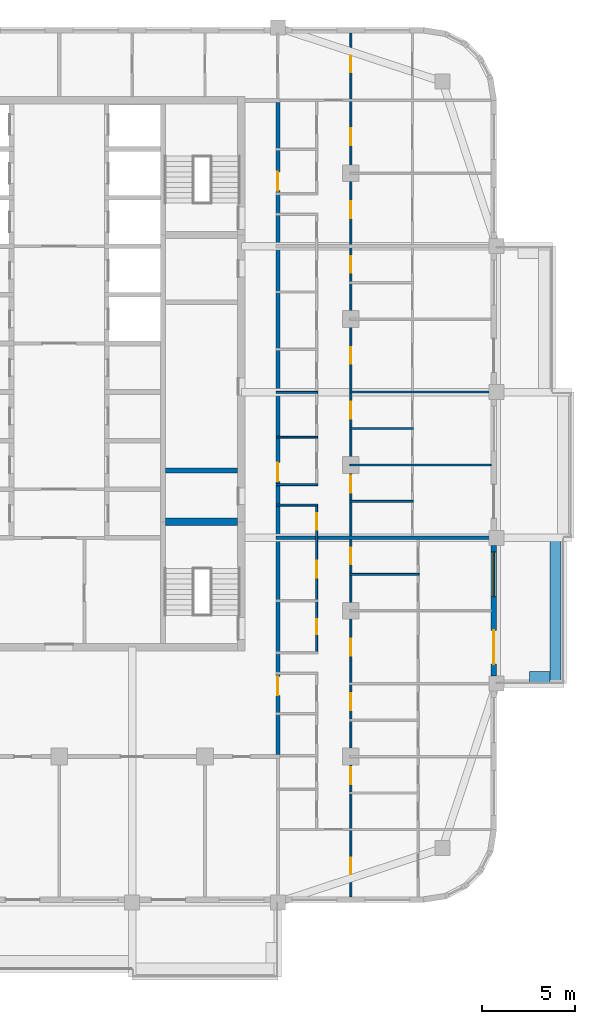
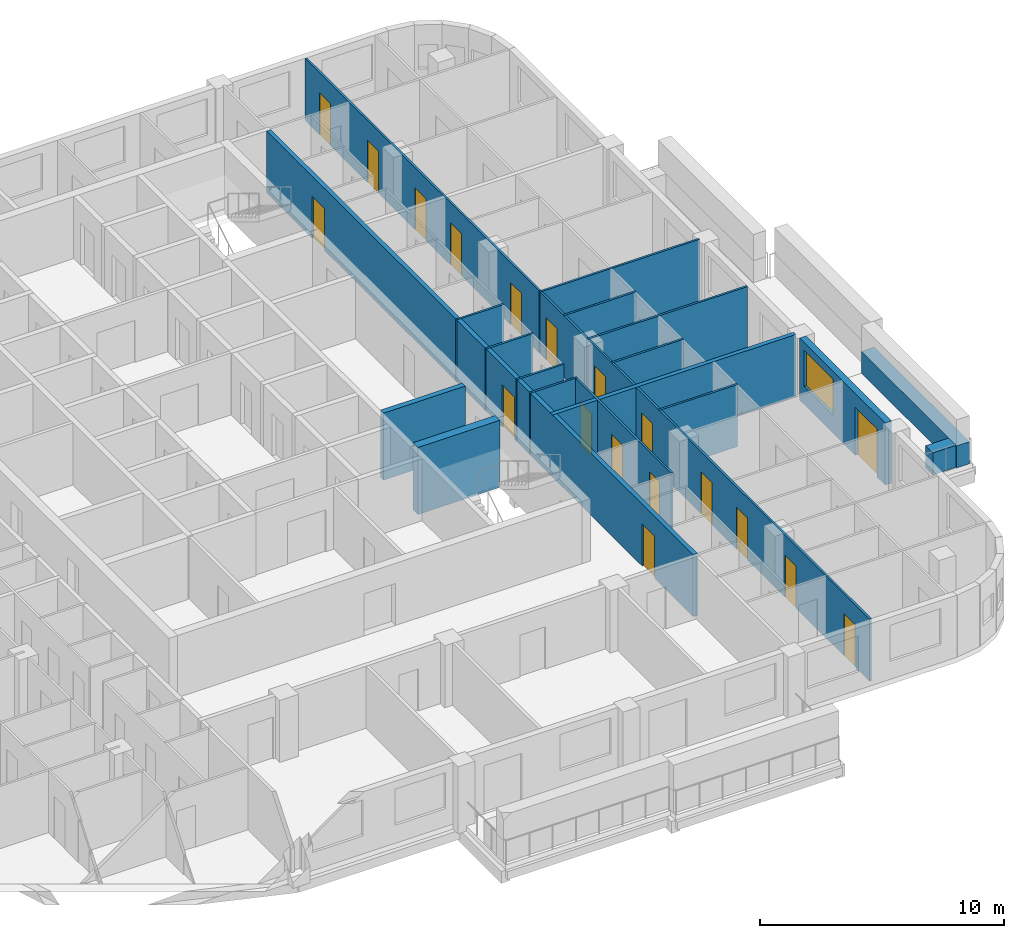
# One storey, part 7 of 16: 19 doors, 18 walls, 1 window, 20 openings.
"""IFC4 building model written with IfcOpenShell, lengths in metres."""

import ifcopenshell
import ifcopenshell.guid

model = None  # the IFC model being written
_history = None  # IfcOwnerHistory: only IFC2X3 demands one
_inside = {}  # id of a spatial element -> (the spatial element, [elements in it])
_under = {}  # id of a project, library or spatial element -> (it, [spatial elements below it])
_declared = {}  # id of a project -> (the project, [libraries it declares])
_typed = {}  # id of a type object -> (the type object, [elements of that type])
_made_of = {}  # id of a material, layer set ... -> (it, [elements and type objects made of it])


def new_model(schema):
    """Start an empty IFC model of exactly this schema.

    Asked for "IFC4X3", IfcOpenShell would pick the latest addendum, in which some entities
    have other attributes; the version numbers below select the first issue.
    IFC2X3 requires an IfcOwnerHistory on every rooted entity: one is made here for all.
    """
    global model, _history
    if schema == "IFC4X3":
        model = ifcopenshell.file(schema_version=(4, 3, 0, 0))
    else:
        model = ifcopenshell.file(schema=schema)
    _inside.clear()
    _under.clear()
    _declared.clear()
    _typed.clear()
    _made_of.clear()
    _history = None
    if model.schema == "IFC2X3":
        org = make("IfcOrganization", Name="unknown")
        user = make(
            "IfcPersonAndOrganization",
            ThePerson=make("IfcPerson", FamilyName="unknown"),
            TheOrganization=org,
        )
        app = make(
            "IfcApplication",
            ApplicationDeveloper=org,
            Version="unknown",
            ApplicationFullName="unknown",
            ApplicationIdentifier="unknown",
        )
        _history = make(
            "IfcOwnerHistory",
            OwningUser=user,
            OwningApplication=app,
            ChangeAction="ADDED",
            CreationDate=0,
        )
    return model


def make(cls, **values):
    """One entity of the class cls with the attributes given. An attribute that is None is left unset."""
    return model.create_entity(
        cls, **{name: value for name, value in values.items() if value is not None}
    )


def rooted(cls, **values):
    """An entity with a GlobalId (a new one), such as an element, a storey or a relation."""
    return make(cls, GlobalId=ifcopenshell.guid.new(), OwnerHistory=_history, **values)


def si_unit(unit_type, name, prefix=None):
    """IfcSIUnit, for example si_unit("LENGTHUNIT", "METRE", prefix="MILLI")."""
    return make("IfcSIUnit", UnitType=unit_type, Prefix=prefix, Name=name)


def assignment(units):
    """IfcUnitAssignment: the units of a project."""
    return None if units is None else make("IfcUnitAssignment", Units=units)


def point(xyz):
    """IfcCartesianPoint."""
    return None if xyz is None else make("IfcCartesianPoint", Coordinates=xyz)


def direction(xyz):
    """IfcDirection."""
    return None if xyz is None else make("IfcDirection", DirectionRatios=xyz)


def frame(location, z_axis=None, x_axis=None):
    """IfcAxis2Placement3D, a coordinate frame: its origin and axes. An axis left out is left unset."""
    return make(
        "IfcAxis2Placement3D",
        Location=point(location),
        Axis=direction(z_axis),
        RefDirection=direction(x_axis),
    )


def frame_2d(location, x_axis=None):
    """IfcAxis2Placement2D, a coordinate frame in the plane: its origin and x axis."""
    return make(
        "IfcAxis2Placement2D", Location=point(location), RefDirection=direction(x_axis)
    )


def origin():
    """The frame at (0, 0, 0) with its axes left unset."""
    return frame((0.0, 0.0, 0.0))


def place(relative_to, where):
    """IfcLocalPlacement: puts the frame where relative to a parent placement (None: the world)."""
    return make(
        "IfcLocalPlacement", PlacementRelTo=relative_to, RelativePlacement=where
    )


def context(
    kind, dimensions, precision=None, world=None, true_north=None, identifier=None
):
    """IfcGeometricRepresentationContext, for example the 3D "Model" context."""
    return make(
        "IfcGeometricRepresentationContext",
        ContextIdentifier=identifier,
        ContextType=kind,
        CoordinateSpaceDimension=dimensions,
        Precision=precision,
        WorldCoordinateSystem=world,
        TrueNorth=true_north,
    )


def subcontext(parent, identifier, kind, view, scale=None):
    """IfcGeometricRepresentationSubContext, for example "Body" below "Model"."""
    return make(
        "IfcGeometricRepresentationSubContext",
        ContextIdentifier=identifier,
        ContextType=kind,
        ParentContext=parent,
        TargetScale=scale,
        TargetView=view,
    )


def project(units=None, contexts=None):
    """IfcProject with its units and contexts."""
    return rooted(
        "IfcProject",
        Name="project",
        RepresentationContexts=contexts,
        UnitsInContext=assignment(units),
    )


def spatial(cls, under=None, at=None, **own):
    """A site, building, storey or space (cls), placed at a placement, below another one or the project."""
    s = rooted(cls, ObjectPlacement=at, **own)
    if under is not None:
        _under.setdefault(under.id(), (under, []))[1].append(s)
    return s


def profile(cls, at=None, kind="AREA", **sizes):
    """A parametric profile (cls). Its sizes go by their IFC names, for example OverallWidth=200.0."""
    return make(cls, ProfileType=kind, Position=at, **sizes)


def rectangle(**sizes):
    """IfcRectangleProfileDef."""
    return profile("IfcRectangleProfileDef", **sizes)


def extrude(swept, where, along, depth):
    """IfcExtrudedAreaSolid: the profile swept, set in the frame where, extruded along a direction by depth."""
    return make(
        "IfcExtrudedAreaSolid",
        SweptArea=swept,
        Position=where,
        ExtrudedDirection=direction(along),
        Depth=depth,
    )


def shape(context_of_items, identifier, shape_type, items):
    """IfcShapeRepresentation: the items that make up one representation, for example the "Body"."""
    return make(
        "IfcShapeRepresentation",
        ContextOfItems=context_of_items,
        RepresentationIdentifier=identifier,
        RepresentationType=shape_type,
        Items=items,
    )


def material(Name=None, Category=None):
    """IfcMaterial."""
    return make("IfcMaterial", Name=Name, Category=Category)


def layer(
    of_material, thickness, ventilated=None, Name=None, Category=None, Priority=None
):
    """IfcMaterialLayer: one layer of a wall or slab, of a material (None: an air gap)."""
    return make(
        "IfcMaterialLayer",
        Material=of_material,
        LayerThickness=thickness,
        IsVentilated=ventilated,
        Name=Name,
        Category=Category,
        Priority=Priority,
    )


def layer_set(layers, Name=None):
    """IfcMaterialLayerSet."""
    return make("IfcMaterialLayerSet", MaterialLayers=layers, LayerSetName=Name)


def made_of(thing, what):
    """Note that an element or type object is made of a material, layer set ...; save() writes the relation."""
    if what is not None:
        _made_of.setdefault(what.id(), (what, []))[1].append(thing)
    return thing


def type_object(cls, material=None, **own):
    """A type object (cls), such as IfcWallType, which elements share."""
    return made_of(rooted(cls, **own), material)


def element(
    cls,
    number,
    at=None,
    inside=None,
    cuts=None,
    type_object=None,
    material=None,
    context=None,
    identifier="Body",
    shape_type=None,
    held_by="IfcProductDefinitionShape",
    body=None,
    shapes=None,
    **own,
):
    """One element of the class cls, such as IfcWall. Its Tag is "e" and its number.

    at: its placement. inside: the storey or other place that contains it. cuts: it is an
    opening in that element (IfcRelVoidsElement). A single representation is given by context,
    identifier, shape_type and body (its items); several are given by shapes. held_by: the class
    of the entity that holds the representations. save() writes the other relations.
    """
    e = rooted(cls, Tag="e%d" % number, ObjectPlacement=at, **own)
    if body is not None:
        shapes = [shape(context, identifier, shape_type, body)]
    if shapes is not None:
        e.Representation = make(held_by, Representations=shapes)
    if inside is not None:
        _inside.setdefault(inside.id(), (inside, []))[1].append(e)
    if cuts is not None:
        rooted(
            "IfcRelVoidsElement", RelatingBuildingElement=cuts, RelatedOpeningElement=e
        )
    if type_object is not None:
        _typed.setdefault(type_object.id(), (type_object, []))[1].append(e)
    return made_of(e, material)


def fill(opening, filler):
    """IfcRelFillsElement: the door or window that sits in an opening."""
    return rooted(
        "IfcRelFillsElement",
        RelatingOpeningElement=opening,
        RelatedBuildingElement=filler,
    )


def aggregate(whole, parts):
    """IfcRelAggregates: a whole, such as a stair, and the parts it consists of."""
    return rooted("IfcRelAggregates", RelatingObject=whole, RelatedObjects=parts)


def save(model, path):
    """Write the relations noted so far, then the file.

    IfcRelAggregates (storeys below a building ...), IfcRelContainedInSpatialStructure (elements
    in a storey), IfcRelDefinesByType, IfcRelAssociatesMaterial and IfcRelDeclares: one each for
    every whole, place, type object, material and project.
    """
    for whole, parts in _under.values():
        aggregate(whole, parts)
    for where, things in _inside.values():
        rooted(
            "IfcRelContainedInSpatialStructure",
            RelatedElements=things,
            RelatingStructure=where,
        )
    for kind, things in _typed.values():
        rooted("IfcRelDefinesByType", RelatedObjects=things, RelatingType=kind)
    for what, things in _made_of.values():
        rooted("IfcRelAssociatesMaterial", RelatedObjects=things, RelatingMaterial=what)
    for by, libraries in _declared.values():
        rooted("IfcRelDeclares", RelatingContext=by, RelatedDefinitions=libraries)
    model.write(path)


model = new_model("IFC4")

# Units and contexts
model_context = context("Model", 3, precision=1e-05, world=origin(), true_north=direction((0.0, 1.0)))
body_context = subcontext(model_context, "Body", "Model", "MODEL_VIEW")
ifc_project = project(units=[si_unit("LENGTHUNIT", "METRE"), si_unit("AREAUNIT", "SQUARE_METRE"), si_unit("VOLUMEUNIT", "CUBIC_METRE"), si_unit("PLANEANGLEUNIT", "RADIAN"), si_unit("MASSUNIT", "GRAM", prefix="KILO")], contexts=[model_context])

# Site, building, storey
site_placement = place(None, origin())
site = spatial("IfcSite", under=ifc_project, at=site_placement, CompositionType="ELEMENT")
building_placement = place(site_placement, origin())
building = spatial("IfcBuilding", under=site, at=building_placement, Name="Ludao Terraces", CompositionType="ELEMENT")
storey_placement = place(building_placement, frame((0.0, 0.0, 238.10009765625)))
storey = spatial("IfcBuildingStorey", under=building, at=storey_placement, Name="L65", CompositionType="ELEMENT", Elevation=238.10009765625)

# Walls
ifc_material_1 = material(Name="Concrete C40", Category="concrete")
ifc_layer_1 = layer(ifc_material_1, 0.60009765625)
ifc_layer_set_1 = layer_set([ifc_layer_1], Name="ENV Planter trough 600")
wall_type_1 = type_object("IfcWallType", Name="ENV Planter trough 600", PredefinedType="USERDEFINED", material=ifc_layer_set_1)
wall_1_placement = place(storey_placement, frame((111.550048828125, 53.300048828125, 0.0), z_axis=(0.0, 0.0, 1.0), x_axis=(0.0, 1.0, 0.0)))
element("IfcWall", 1, at=wall_1_placement, inside=storey, type_object=wall_type_1, Name="PL-L65-E1", ObjectType="PLANTER", PredefinedType="USERDEFINED", context=body_context, shape_type="SweptSolid", body=[
    extrude(rectangle(XDim=7.800048828125, YDim=0.60009765625, at=frame_2d((3.89990234375, 0.0))), origin(), (0.0, 0.0, 1.0), 1.099853515625),
])
wall_2_placement = place(storey_placement, frame((111.25, 53.64990234375, 0.0), z_axis=(0.0, 0.0, 1.0), x_axis=(-1.0, 0.0, 0.0)))
element("IfcWall", 2, at=wall_2_placement, inside=storey, type_object=wall_type_1, Name="PL-L65-E1-SA", ObjectType="PLANTER", PredefinedType="USERDEFINED", context=body_context, shape_type="SweptSolid", body=[
    extrude(rectangle(XDim=1.10009765625, YDim=0.60009765625, at=frame_2d((0.550048828125, 0.0))), origin(), (0.0, 0.0, 1.0), 1.099853515625),
])

# Wall, openings, door, window
ifc_material_2 = material(Name="Granite cladding", Category="masonry")
ifc_layer_2 = layer(ifc_material_2, 0.0400390625, Category="stone")
ifc_material_3 = material(Name="Mineral wool")
ifc_layer_3 = layer(ifc_material_3, 0.06005859375)
ifc_layer_4 = layer(ifc_material_1, 0.199951171875, Category="concrete")
ifc_layer_set_2 = layer_set([ifc_layer_2, ifc_layer_3, ifc_layer_4], Name="ENV Stone-clad wall 300")
wall_type_2 = type_object("IfcWallType", Name="ENV Stone-clad wall 300", PredefinedType="SOLIDWALL", material=ifc_layer_set_2)
wall_3_placement = place(storey_placement, frame((108.25, 53.699951171875, 0.0), z_axis=(0.0, 0.0, 1.0), x_axis=(0.0, 1.0, 0.0)))
wall_3 = element("IfcWall", 3, at=wall_3_placement, inside=storey, type_object=wall_type_2, Name="EW-L65-E2", PredefinedType="SOLIDWALL", context=body_context, shape_type="SweptSolid", body=[
    extrude(rectangle(XDim=7.0, YDim=0.300048828125, at=frame_2d((3.5, 0.0))), origin(), (0.0, 0.0, 1.0), 3.099853515625),
])
opening_1_placement = place(wall_3_placement, frame((0.64990234375, 0.0, 0.0)))
opening_1 = element("IfcOpeningElement", 4, at=opening_1_placement, cuts=wall_3, Name="Opening BD", PredefinedType="OPENING", context=body_context, shape_type="SweptSolid", body=[
    extrude(rectangle(XDim=1.800048828125, YDim=2.39990234375, at=frame_2d((0.89990234375, 1.199951171875))), frame((0.0, 0.16015625, 0.0), z_axis=(0.0, -1.0, 0.0), x_axis=(1.0, 0.0, 0.0)), (0.0, 0.0, 1.0), 0.320068359375),
])
opening_2_placement = place(wall_3_placement, frame((4.25, 0.0, 0.89990234375)))
opening_2 = element("IfcOpeningElement", 5, at=opening_2_placement, cuts=wall_3, Name="Opening W1", PredefinedType="OPENING", context=body_context, shape_type="SweptSolid", body=[
    extrude(rectangle(XDim=2.39990234375, YDim=1.800048828125, at=frame_2d((1.199951171875, 0.89990234375))), frame((0.0, 0.16015625, 0.0), z_axis=(0.0, -1.0, 0.0), x_axis=(1.0, 0.0, 0.0)), (0.0, 0.0, 1.0), 0.320068359375),
])
ifc_material_4 = material(Name="Aluminium glazed door", Category="aluminium")
ifc_layer_5 = layer(ifc_material_4, 0.06005859375)
ifc_layer_set_3 = layer_set([ifc_layer_5], Name="ENV Balcony door BD 1800x2400")
door_type_1 = type_object("IfcDoorType", Name="ENV Balcony door BD 1800x2400", OperationType="DOUBLE_DOOR_SINGLE_SWING", PredefinedType="DOOR", material=ifc_layer_set_3)
door_1_placement = place(opening_1_placement, origin())
door_1 = element("IfcDoor", 6, at=door_1_placement, inside=storey, type_object=door_type_1, Name="BD-L65-E2-1", OperationType="DOUBLE_DOOR_SINGLE_SWING", OverallHeight=2.39990234375, OverallWidth=1.800048828125, PredefinedType="DOOR", context=body_context, shape_type="SweptSolid", body=[
    extrude(rectangle(XDim=1.800048828125, YDim=2.39990234375, at=frame_2d((0.89990234375, 1.199951171875))), frame((0.0, 0.02490234375, 0.0), z_axis=(0.0, -1.0, 0.0), x_axis=(1.0, 0.0, 0.0)), (0.0, 0.0, 1.0), 0.050048828125),
])
fill(opening_1, door_1)
ifc_material_5 = material(Name="Clear glass in aluminium frame", Category="aluminium")
ifc_layer_6 = layer(ifc_material_5, 0.06005859375)
ifc_layer_set_4 = layer_set([ifc_layer_6], Name="ENV Window W1 2400x1800")
window_type = type_object("IfcWindowType", Name="ENV Window W1 2400x1800", PartitioningType="DOUBLE_PANEL_VERTICAL", PredefinedType="WINDOW", material=ifc_layer_set_4)
window_placement = place(opening_2_placement, origin())
window = element("IfcWindow", 7, at=window_placement, inside=storey, type_object=window_type, Name="W-L65-E2-2", OverallHeight=1.800048828125, OverallWidth=2.39990234375, PartitioningType="DOUBLE_PANEL_VERTICAL", PredefinedType="WINDOW", context=body_context, shape_type="SweptSolid", body=[
    extrude(rectangle(XDim=2.39990234375, YDim=1.800048828125, at=frame_2d((1.199951171875, 0.89990234375))), frame((0.0, 0.030029296875, 0.0), z_axis=(0.0, -1.0, 0.0), x_axis=(1.0, 0.0, 0.0)), (0.0, 0.0, 1.0), 0.06005859375),
])
fill(opening_2, window)

# Wall, openings, doors
ifc_material_6 = material(Name="Autoclaved aerated concrete block B06 A3.5", Category="concrete")
ifc_layer_7 = layer(ifc_material_6, 0.199951171875)
ifc_layer_set_5 = layer_set([ifc_layer_7], Name="INT Entrance wall 200")
wall_type_3 = type_object("IfcWallType", Name="INT Entrance wall 200", PredefinedType="PARTITIONING", material=ifc_layer_set_5)
wall_4_placement = place(storey_placement, frame((96.699951171875, 49.5, 0.0), z_axis=(0.0, 0.0, 1.0), x_axis=(0.0, 1.0, 0.0)))
wall_4 = element("IfcWall", 8, at=wall_4_placement, inside=storey, type_object=wall_type_3, Name="PW-L65-PW093", PredefinedType="PARTITIONING", context=body_context, shape_type="SweptSolid", body=[
    extrude(rectangle(XDim=34.900146484375, YDim=0.199951171875, at=frame_2d((17.4501953125, 0.0))), origin(), (0.0, 0.0, 1.0), 3.099853515625),
])
opening_3_placement = place(wall_4_placement, frame((3.175048828125, 0.0, 0.0)))
opening_3 = element("IfcOpeningElement", 9, at=opening_3_placement, cuts=wall_4, Name="Opening R23-031", PredefinedType="OPENING", context=body_context, shape_type="SweptSolid", body=[
    extrude(rectangle(XDim=1.0, YDim=2.10009765625, at=frame_2d((0.5, 1.050048828125))), frame((0.0, 0.10986328125, 0.0), z_axis=(0.0, -1.0, 0.0), x_axis=(1.0, 0.0, 0.0)), (0.0, 0.0, 1.0), 0.219970703125),
])
opening_4_placement = place(wall_4_placement, frame((14.625, 0.0, 0.0)))
opening_4 = element("IfcOpeningElement", 10, at=opening_4_placement, cuts=wall_4, Name="Opening R23-066", PredefinedType="OPENING", context=body_context, shape_type="SweptSolid", body=[
    extrude(rectangle(XDim=1.0, YDim=2.10009765625, at=frame_2d((0.5, 1.050048828125))), frame((0.0, 0.10986328125, 0.0), z_axis=(0.0, -1.0, 0.0), x_axis=(1.0, 0.0, 0.0)), (0.0, 0.0, 1.0), 0.219970703125),
])
opening_5_placement = place(wall_4_placement, frame((30.175048828125, 0.0, 0.0)))
opening_5 = element("IfcOpeningElement", 11, at=opening_5_placement, cuts=wall_4, Name="Opening R23-119", PredefinedType="OPENING", context=body_context, shape_type="SweptSolid", body=[
    extrude(rectangle(XDim=1.0, YDim=2.10009765625, at=frame_2d((0.5, 1.050048828125))), frame((0.0, 0.10986328125, 0.0), z_axis=(0.0, -1.0, 0.0), x_axis=(1.0, 0.0, 0.0)), (0.0, 0.0, 1.0), 0.219970703125),
])
ifc_material_7 = material(Name="Steel Q235", Category="steel")
door_type_2 = type_object("IfcDoorType", Name="INT Flat entrance door 1000", OperationType="SINGLE_SWING_LEFT", PredefinedType="DOOR", material=ifc_material_7)
door_2_placement = place(opening_3_placement, origin())
door_2 = element("IfcDoor", 12, at=door_2_placement, inside=storey, type_object=door_type_2, Name="DOOR 031", OperationType="SINGLE_SWING_RIGHT", OverallHeight=2.10009765625, OverallWidth=1.0, PredefinedType="DOOR", context=body_context, shape_type="SweptSolid", body=[
    extrude(rectangle(XDim=1.0, YDim=2.10009765625, at=frame_2d((0.5, 1.050048828125))), frame((0.0, 0.02490234375, 0.0), z_axis=(0.0, -1.0, 0.0), x_axis=(1.0, 0.0, 0.0)), (0.0, 0.0, 1.0), 0.050048828125),
])
fill(opening_3, door_2)
door_3_placement = place(opening_4_placement, origin())
door_3 = element("IfcDoor", 13, at=door_3_placement, inside=storey, type_object=door_type_2, Name="DOOR 066", OperationType="SINGLE_SWING_LEFT", OverallHeight=2.10009765625, OverallWidth=1.0, PredefinedType="DOOR", context=body_context, shape_type="SweptSolid", body=[
    extrude(rectangle(XDim=1.0, YDim=2.10009765625, at=frame_2d((0.5, 1.050048828125))), frame((0.0, 0.02490234375, 0.0), z_axis=(0.0, -1.0, 0.0), x_axis=(1.0, 0.0, 0.0)), (0.0, 0.0, 1.0), 0.050048828125),
])
fill(opening_4, door_3)
door_4_placement = place(opening_5_placement, origin())
door_4 = element("IfcDoor", 14, at=door_4_placement, inside=storey, type_object=door_type_2, Name="DOOR 119", OperationType="SINGLE_SWING_LEFT", OverallHeight=2.10009765625, OverallWidth=1.0, PredefinedType="DOOR", context=body_context, shape_type="SweptSolid", body=[
    extrude(rectangle(XDim=1.0, YDim=2.10009765625, at=frame_2d((0.5, 1.050048828125))), frame((0.0, 0.02490234375, 0.0), z_axis=(0.0, -1.0, 0.0), x_axis=(1.0, 0.0, 0.0)), (0.0, 0.0, 1.0), 0.050048828125),
])
fill(opening_5, door_4)

# Walls
ifc_material_8 = material(Name="Gypsum plasterboard", Category="gypsum")
ifc_layer_8 = layer(ifc_material_8, 0.012451171875, Category="gypsum")
ifc_layer_9 = layer(ifc_material_3, 0.06005859375, Name="insulation")
ifc_layer_10 = layer(ifc_material_7, 0.014892578125, Name="stud")
ifc_layer_11 = layer(ifc_material_8, 0.012451171875, Category="gypsum")
ifc_layer_set_6 = layer_set([ifc_layer_8, ifc_layer_9, ifc_layer_10, ifc_layer_11], Name="INT Partition 100")
wall_type_4 = type_object("IfcWallType", Name="INT Partition 100", PredefinedType="PARTITIONING", material=ifc_layer_set_6)
wall_5_placement = place(storey_placement, frame((100.550048828125, 59.14990234375, 0.0), z_axis=(0.0, 0.0, 1.0), x_axis=(1.0, 0.0, 0.0)))
element("IfcWall", 15, at=wall_5_placement, inside=storey, type_object=wall_type_4, Name="PW-L65-PW026", PredefinedType="PARTITIONING", context=body_context, shape_type="SweptSolid", body=[
    extrude(rectangle(XDim=3.699951171875, YDim=0.10009765625, at=frame_2d((1.85009765625, 0.0))), origin(), (0.0, 0.0, 1.0), 3.099853515625),
])
wall_6_placement = place(storey_placement, frame((96.60009765625, 62.85009765625, 0.0), z_axis=(0.0, 0.0, 1.0), x_axis=(1.0, 0.0, 0.0)))
element("IfcWall", 16, at=wall_6_placement, inside=storey, type_object=wall_type_4, Name="PW-L65-PW031", PredefinedType="PARTITIONING", context=body_context, shape_type="SweptSolid", body=[
    extrude(rectangle(XDim=2.219970703125, YDim=0.10009765625, at=frame_2d((1.10986328125, 0.0))), origin(), (0.0, 0.0, 1.0), 3.099853515625),
])
wall_7_placement = place(storey_placement, frame((100.550048828125, 63.050048828125, 0.0), z_axis=(0.0, 0.0, 1.0), x_axis=(1.0, 0.0, 0.0)))
element("IfcWall", 17, at=wall_7_placement, inside=storey, type_object=wall_type_4, Name="PW-L65-PW033", PredefinedType="PARTITIONING", context=body_context, shape_type="SweptSolid", body=[
    extrude(rectangle(XDim=3.400146484375, YDim=0.10009765625, at=frame_2d((1.7001953125, 0.0))), origin(), (0.0, 0.0, 1.0), 3.099853515625),
])
wall_8_placement = place(storey_placement, frame((96.60009765625, 63.949951171875, 0.0), z_axis=(0.0, 0.0, 1.0), x_axis=(1.0, 0.0, 0.0)))
element("IfcWall", 18, at=wall_8_placement, inside=storey, type_object=wall_type_4, Name="PW-L65-PW036", PredefinedType="PARTITIONING", context=body_context, shape_type="SweptSolid", body=[
    extrude(rectangle(XDim=2.219970703125, YDim=0.10009765625, at=frame_2d((1.10986328125, 0.0))), origin(), (0.0, 0.0, 1.0), 3.099853515625),
])
wall_9_placement = place(storey_placement, frame((100.550048828125, 65.0, 0.0), z_axis=(0.0, 0.0, 1.0), x_axis=(1.0, 0.0, 0.0)))
element("IfcWall", 19, at=wall_9_placement, inside=storey, type_object=wall_type_4, Name="PW-L65-PW038", PredefinedType="PARTITIONING", context=body_context, shape_type="SweptSolid", body=[
    extrude(rectangle(XDim=7.550048828125, YDim=0.10009765625, at=frame_2d((3.77490234375, 0.0))), origin(), (0.0, 0.0, 1.0), 3.099853515625),
])
wall_10_placement = place(storey_placement, frame((96.60009765625, 66.47998046875, 0.0), z_axis=(0.0, 0.0, 1.0), x_axis=(1.0, 0.0, 0.0)))
element("IfcWall", 20, at=wall_10_placement, inside=storey, type_object=wall_type_4, Name="PW-L65-PW040", PredefinedType="PARTITIONING", context=body_context, shape_type="SweptSolid", body=[
    extrude(rectangle(XDim=2.219970703125, YDim=0.10009765625, at=frame_2d((1.10986328125, 0.0))), origin(), (0.0, 0.0, 1.0), 3.099853515625),
])
wall_11_placement = place(storey_placement, frame((100.550048828125, 66.949951171875, 0.0), z_axis=(0.0, 0.0, 1.0), x_axis=(1.0, 0.0, 0.0)))
element("IfcWall", 21, at=wall_11_placement, inside=storey, type_object=wall_type_4, Name="PW-L65-PW042", PredefinedType="PARTITIONING", context=body_context, shape_type="SweptSolid", body=[
    extrude(rectangle(XDim=3.400146484375, YDim=0.10009765625, at=frame_2d((1.7001953125, 0.0))), origin(), (0.0, 0.0, 1.0), 3.099853515625),
])
wall_12_placement = place(storey_placement, frame((96.60009765625, 68.8798828125, 0.0), z_axis=(0.0, 0.0, 1.0), x_axis=(1.0, 0.0, 0.0)))
element("IfcWall", 22, at=wall_12_placement, inside=storey, type_object=wall_type_4, Name="PW-L65-PW044", PredefinedType="PARTITIONING", context=body_context, shape_type="SweptSolid", body=[
    extrude(rectangle(XDim=2.219970703125, YDim=0.10009765625, at=frame_2d((1.10986328125, 0.0))), origin(), (0.0, 0.0, 1.0), 3.099853515625),
])
wall_13_placement = place(storey_placement, frame((100.550048828125, 68.89990234375, 0.0), z_axis=(0.0, 0.0, 1.0), x_axis=(1.0, 0.0, 0.0)))
element("IfcWall", 23, at=wall_13_placement, inside=storey, type_object=wall_type_4, Name="PW-L65-PW046", PredefinedType="PARTITIONING", context=body_context, shape_type="SweptSolid", body=[
    extrude(rectangle(XDim=7.550048828125, YDim=0.10009765625, at=frame_2d((3.77490234375, 0.0))), origin(), (0.0, 0.0, 1.0), 3.099853515625),
])

# Wall, openings, doors
wall_14_placement = place(storey_placement, frame((98.77001953125, 55.0, 0.0), z_axis=(0.0, 0.0, 1.0), x_axis=(0.0, 1.0, 0.0)))
wall_14 = element("IfcWall", 24, at=wall_14_placement, inside=storey, type_object=wall_type_4, Name="PW-L65-PW096", PredefinedType="PARTITIONING", context=body_context, shape_type="SweptSolid", body=[
    extrude(rectangle(XDim=7.800048828125, YDim=0.10009765625, at=frame_2d((3.89990234375, 0.0))), origin(), (0.0, 0.0, 1.0), 3.099853515625),
])
opening_6_placement = place(wall_14_placement, frame((0.940185546875, 0.0, 0.0)))
opening_6 = element("IfcOpeningElement", 25, at=opening_6_placement, cuts=wall_14, Name="Opening R23-039", PredefinedType="OPENING", context=body_context, shape_type="SweptSolid", body=[
    extrude(rectangle(XDim=0.800048828125, YDim=2.10009765625, at=frame_2d((0.39990234375, 1.050048828125))), frame((0.0, 0.06005859375, 0.0), z_axis=(0.0, -1.0, 0.0), x_axis=(1.0, 0.0, 0.0)), (0.0, 0.0, 1.0), 0.1201171875),
])
opening_7_placement = place(wall_14_placement, frame((3.965087890625, 0.0, 0.0)))
opening_7 = element("IfcOpeningElement", 26, at=opening_7_placement, cuts=wall_14, Name="Opening R23-045", PredefinedType="OPENING", context=body_context, shape_type="SweptSolid", body=[
    extrude(rectangle(XDim=0.89990234375, YDim=2.10009765625, at=frame_2d((0.449951171875, 1.050048828125))), frame((0.0, 0.06005859375, 0.0), z_axis=(0.0, -1.0, 0.0), x_axis=(1.0, 0.0, 0.0)), (0.0, 0.0, 1.0), 0.1201171875),
])
opening_8_placement = place(wall_14_placement, frame((6.525146484375, 0.0, 0.0)))
opening_8 = element("IfcOpeningElement", 27, at=opening_8_placement, cuts=wall_14, Name="Opening R23-053", PredefinedType="OPENING", context=body_context, shape_type="SweptSolid", body=[
    extrude(rectangle(XDim=0.89990234375, YDim=2.10009765625, at=frame_2d((0.449951171875, 1.050048828125))), frame((0.0, 0.06005859375, 0.0), z_axis=(0.0, -1.0, 0.0), x_axis=(1.0, 0.0, 0.0)), (0.0, 0.0, 1.0), 0.1201171875),
])
ifc_material_9 = material(Name="Timber door leaf", Category="wood")
door_type_3 = type_object("IfcDoorType", Name="INT Bathroom door 900", OperationType="SINGLE_SWING_LEFT", PredefinedType="DOOR", material=ifc_material_9)
door_5_placement = place(opening_8_placement, origin())
door_5 = element("IfcDoor", 28, at=door_5_placement, inside=storey, type_object=door_type_3, Name="DOOR 053", OperationType="SINGLE_SWING_LEFT", OverallHeight=2.10009765625, OverallWidth=0.89990234375, PredefinedType="DOOR", context=body_context, shape_type="SweptSolid", body=[
    extrude(rectangle(XDim=0.89990234375, YDim=2.10009765625, at=frame_2d((0.449951171875, 1.050048828125))), frame((0.0, 0.02490234375, 0.0), z_axis=(0.0, -1.0, 0.0), x_axis=(1.0, 0.0, 0.0)), (0.0, 0.0, 1.0), 0.050048828125),
])
fill(opening_8, door_5)
door_type_4 = type_object("IfcDoorType", Name="INT Room door 900", OperationType="SINGLE_SWING_LEFT", PredefinedType="DOOR", material=ifc_material_9)
door_6_placement = place(opening_7_placement, origin())
door_6 = element("IfcDoor", 29, at=door_6_placement, inside=storey, type_object=door_type_4, Name="DOOR 045", OperationType="SINGLE_SWING_RIGHT", OverallHeight=2.10009765625, OverallWidth=0.89990234375, PredefinedType="DOOR", context=body_context, shape_type="SweptSolid", body=[
    extrude(rectangle(XDim=0.89990234375, YDim=2.10009765625, at=frame_2d((0.449951171875, 1.050048828125))), frame((0.0, 0.02490234375, 0.0), z_axis=(0.0, -1.0, 0.0), x_axis=(1.0, 0.0, 0.0)), (0.0, 0.0, 1.0), 0.050048828125),
])
fill(opening_7, door_6)
door_type_5 = type_object("IfcDoorType", Name="INT Store door 800", OperationType="SINGLE_SWING_LEFT", PredefinedType="DOOR", material=ifc_material_9)
door_7_placement = place(opening_6_placement, origin())
door_7 = element("IfcDoor", 30, at=door_7_placement, inside=storey, type_object=door_type_5, Name="DOOR 039", OperationType="SINGLE_SWING_LEFT", OverallHeight=2.10009765625, OverallWidth=0.800048828125, PredefinedType="DOOR", context=body_context, shape_type="SweptSolid", body=[
    extrude(rectangle(XDim=0.800048828125, YDim=2.10009765625, at=frame_2d((0.39990234375, 1.050048828125))), frame((0.0, 0.02490234375, 0.0), z_axis=(0.0, -1.0, 0.0), x_axis=(1.0, 0.0, 0.0)), (0.0, 0.0, 1.0), 0.050048828125),
])
fill(opening_6, door_7)

wall_15_placement = place(storey_placement, frame((100.60009765625, 41.900146484375, 0.0), z_axis=(0.0, 0.0, 1.0), x_axis=(0.0, 1.0, 0.0)))
wall_15 = element("IfcWall", 31, at=wall_15_placement, inside=storey, type_object=wall_type_4, Name="PW-L65-PW099", PredefinedType="PARTITIONING", context=body_context, shape_type="SweptSolid", body=[
    extrude(rectangle(XDim=46.199951171875, YDim=0.10009765625, at=frame_2d((23.10009765625, 0.0))), origin(), (0.0, 0.0, 1.0), 3.099853515625),
])
opening_9_placement = place(wall_15_placement, frame((1.199951171875, 0.0, 0.0)))
opening_9 = element("IfcOpeningElement", 32, at=opening_9_placement, cuts=wall_15, Name="Opening R23-003", PredefinedType="OPENING", context=body_context, shape_type="SweptSolid", body=[
    extrude(rectangle(XDim=0.89990234375, YDim=2.10009765625, at=frame_2d((0.449951171875, 1.050048828125))), frame((0.0, 0.06005859375, 0.0), z_axis=(0.0, -1.0, 0.0), x_axis=(1.0, 0.0, 0.0)), (0.0, 0.0, 1.0), 0.1201171875),
])
opening_10_placement = place(wall_15_placement, frame((6.02490234375, 0.0, 0.0)))
opening_10 = element("IfcOpeningElement", 33, at=opening_10_placement, cuts=wall_15, Name="Opening R23-012", PredefinedType="OPENING", context=body_context, shape_type="SweptSolid", body=[
    extrude(rectangle(XDim=0.89990234375, YDim=2.10009765625, at=frame_2d((0.449951171875, 1.050048828125))), frame((0.0, 0.06005859375, 0.0), z_axis=(0.0, -1.0, 0.0), x_axis=(1.0, 0.0, 0.0)), (0.0, 0.0, 1.0), 0.1201171875),
])
opening_11_placement = place(wall_15_placement, frame((9.97509765625, 0.0, 0.0)))
opening_11 = element("IfcOpeningElement", 34, at=opening_11_placement, cuts=wall_15, Name="Opening R23-026", PredefinedType="OPENING", context=body_context, shape_type="SweptSolid", body=[
    extrude(rectangle(XDim=0.89990234375, YDim=2.10009765625, at=frame_2d((0.449951171875, 1.050048828125))), frame((0.0, 0.06005859375, 0.0), z_axis=(0.0, -1.0, 0.0), x_axis=(1.0, 0.0, 0.0)), (0.0, 0.0, 1.0), 0.1201171875),
])
opening_12_placement = place(wall_15_placement, frame((12.89990234375, 0.0, 0.0)))
opening_12 = element("IfcOpeningElement", 35, at=opening_12_placement, cuts=wall_15, Name="Opening R23-035", PredefinedType="OPENING", context=body_context, shape_type="SweptSolid", body=[
    extrude(rectangle(XDim=0.89990234375, YDim=2.10009765625, at=frame_2d((0.449951171875, 1.050048828125))), frame((0.0, 0.06005859375, 0.0), z_axis=(0.0, -1.0, 0.0), x_axis=(1.0, 0.0, 0.0)), (0.0, 0.0, 1.0), 0.1201171875),
])
opening_13_placement = place(wall_15_placement, frame((17.77490234375, 0.0, 0.0)))
opening_13 = element("IfcOpeningElement", 36, at=opening_13_placement, cuts=wall_15, Name="Opening R23-049", PredefinedType="OPENING", context=body_context, shape_type="SweptSolid", body=[
    extrude(rectangle(XDim=0.89990234375, YDim=2.10009765625, at=frame_2d((0.449951171875, 1.050048828125))), frame((0.0, 0.06005859375, 0.0), z_axis=(0.0, -1.0, 0.0), x_axis=(1.0, 0.0, 0.0)), (0.0, 0.0, 1.0), 0.1201171875),
])
opening_14_placement = place(wall_15_placement, frame((21.625, 0.0, 0.0)))
opening_14 = element("IfcOpeningElement", 37, at=opening_14_placement, cuts=wall_15, Name="Opening R23-062", PredefinedType="OPENING", context=body_context, shape_type="SweptSolid", body=[
    extrude(rectangle(XDim=0.89990234375, YDim=2.10009765625, at=frame_2d((0.449951171875, 1.050048828125))), frame((0.0, 0.06005859375, 0.0), z_axis=(0.0, -1.0, 0.0), x_axis=(1.0, 0.0, 0.0)), (0.0, 0.0, 1.0), 0.1201171875),
])
opening_15_placement = place(wall_15_placement, frame((25.574951171875, 0.0, 0.0)))
opening_15 = element("IfcOpeningElement", 38, at=opening_15_placement, cuts=wall_15, Name="Opening R23-080", PredefinedType="OPENING", context=body_context, shape_type="SweptSolid", body=[
    extrude(rectangle(XDim=0.89990234375, YDim=2.10009765625, at=frame_2d((0.449951171875, 1.050048828125))), frame((0.0, 0.06005859375, 0.0), z_axis=(0.0, -1.0, 0.0), x_axis=(1.0, 0.0, 0.0)), (0.0, 0.0, 1.0), 0.1201171875),
])
opening_16_placement = place(wall_15_placement, frame((28.5, 0.0, 0.0)))
opening_16 = element("IfcOpeningElement", 39, at=opening_16_placement, cuts=wall_15, Name="Opening R23-089", PredefinedType="OPENING", context=body_context, shape_type="SweptSolid", body=[
    extrude(rectangle(XDim=0.89990234375, YDim=2.10009765625, at=frame_2d((0.449951171875, 1.050048828125))), frame((0.0, 0.06005859375, 0.0), z_axis=(0.0, -1.0, 0.0), x_axis=(1.0, 0.0, 0.0)), (0.0, 0.0, 1.0), 0.1201171875),
])
opening_17_placement = place(wall_15_placement, frame((33.375, 0.0, 0.0)))
opening_17 = element("IfcOpeningElement", 40, at=opening_17_placement, cuts=wall_15, Name="Opening R23-106", PredefinedType="OPENING", context=body_context, shape_type="SweptSolid", body=[
    extrude(rectangle(XDim=0.89990234375, YDim=2.10009765625, at=frame_2d((0.449951171875, 1.050048828125))), frame((0.0, 0.06005859375, 0.0), z_axis=(0.0, -1.0, 0.0), x_axis=(1.0, 0.0, 0.0)), (0.0, 0.0, 1.0), 0.1201171875),
])
opening_18_placement = place(wall_15_placement, frame((36.300048828125, 0.0, 0.0)))
opening_18 = element("IfcOpeningElement", 41, at=opening_18_placement, cuts=wall_15, Name="Opening R23-117", PredefinedType="OPENING", context=body_context, shape_type="SweptSolid", body=[
    extrude(rectangle(XDim=0.89990234375, YDim=2.10009765625, at=frame_2d((0.449951171875, 1.050048828125))), frame((0.0, 0.06005859375, 0.0), z_axis=(0.0, -1.0, 0.0), x_axis=(1.0, 0.0, 0.0)), (0.0, 0.0, 1.0), 0.1201171875),
])
opening_19_placement = place(wall_15_placement, frame((40.199951171875, 0.0, 0.0)))
opening_19 = element("IfcOpeningElement", 42, at=opening_19_placement, cuts=wall_15, Name="Opening R23-126", PredefinedType="OPENING", context=body_context, shape_type="SweptSolid", body=[
    extrude(rectangle(XDim=0.89990234375, YDim=2.10009765625, at=frame_2d((0.449951171875, 1.050048828125))), frame((0.0, 0.06005859375, 0.0), z_axis=(0.0, -1.0, 0.0), x_axis=(1.0, 0.0, 0.0)), (0.0, 0.0, 1.0), 0.1201171875),
])
opening_20_placement = place(wall_15_placement, frame((44.10009765625, 0.0, 0.0)))
opening_20 = element("IfcOpeningElement", 43, at=opening_20_placement, cuts=wall_15, Name="Opening R23-143", PredefinedType="OPENING", context=body_context, shape_type="SweptSolid", body=[
    extrude(rectangle(XDim=0.89990234375, YDim=2.10009765625, at=frame_2d((0.449951171875, 1.050048828125))), frame((0.0, 0.06005859375, 0.0), z_axis=(0.0, -1.0, 0.0), x_axis=(1.0, 0.0, 0.0)), (0.0, 0.0, 1.0), 0.1201171875),
])
door_8_placement = place(opening_9_placement, origin())
door_8 = element("IfcDoor", 44, at=door_8_placement, inside=storey, type_object=door_type_4, Name="DOOR 003", OperationType="SINGLE_SWING_RIGHT", OverallHeight=2.10009765625, OverallWidth=0.89990234375, PredefinedType="DOOR", context=body_context, shape_type="SweptSolid", body=[
    extrude(rectangle(XDim=0.89990234375, YDim=2.10009765625, at=frame_2d((0.449951171875, 1.050048828125))), frame((0.0, 0.02490234375, 0.0), z_axis=(0.0, -1.0, 0.0), x_axis=(1.0, 0.0, 0.0)), (0.0, 0.0, 1.0), 0.050048828125),
])
fill(opening_9, door_8)
door_9_placement = place(opening_10_placement, origin())
door_9 = element("IfcDoor", 45, at=door_9_placement, inside=storey, type_object=door_type_4, Name="DOOR 012", OperationType="SINGLE_SWING_RIGHT", OverallHeight=2.10009765625, OverallWidth=0.89990234375, PredefinedType="DOOR", context=body_context, shape_type="SweptSolid", body=[
    extrude(rectangle(XDim=0.89990234375, YDim=2.10009765625, at=frame_2d((0.449951171875, 1.050048828125))), frame((0.0, 0.02490234375, 0.0), z_axis=(0.0, -1.0, 0.0), x_axis=(1.0, 0.0, 0.0)), (0.0, 0.0, 1.0), 0.050048828125),
])
fill(opening_10, door_9)
door_10_placement = place(opening_11_placement, origin())
door_10 = element("IfcDoor", 46, at=door_10_placement, inside=storey, type_object=door_type_4, Name="DOOR 026", OperationType="SINGLE_SWING_LEFT", OverallHeight=2.10009765625, OverallWidth=0.89990234375, PredefinedType="DOOR", context=body_context, shape_type="SweptSolid", body=[
    extrude(rectangle(XDim=0.89990234375, YDim=2.10009765625, at=frame_2d((0.449951171875, 1.050048828125))), frame((0.0, 0.02490234375, 0.0), z_axis=(0.0, -1.0, 0.0), x_axis=(1.0, 0.0, 0.0)), (0.0, 0.0, 1.0), 0.050048828125),
])
fill(opening_11, door_10)
door_11_placement = place(opening_12_placement, origin())
door_11 = element("IfcDoor", 47, at=door_11_placement, inside=storey, type_object=door_type_4, Name="DOOR 035", OperationType="SINGLE_SWING_RIGHT", OverallHeight=2.10009765625, OverallWidth=0.89990234375, PredefinedType="DOOR", context=body_context, shape_type="SweptSolid", body=[
    extrude(rectangle(XDim=0.89990234375, YDim=2.10009765625, at=frame_2d((0.449951171875, 1.050048828125))), frame((0.0, 0.02490234375, 0.0), z_axis=(0.0, -1.0, 0.0), x_axis=(1.0, 0.0, 0.0)), (0.0, 0.0, 1.0), 0.050048828125),
])
fill(opening_12, door_11)
door_12_placement = place(opening_13_placement, origin())
door_12 = element("IfcDoor", 48, at=door_12_placement, inside=storey, type_object=door_type_4, Name="DOOR 049", OperationType="SINGLE_SWING_RIGHT", OverallHeight=2.10009765625, OverallWidth=0.89990234375, PredefinedType="DOOR", context=body_context, shape_type="SweptSolid", body=[
    extrude(rectangle(XDim=0.89990234375, YDim=2.10009765625, at=frame_2d((0.449951171875, 1.050048828125))), frame((0.0, 0.02490234375, 0.0), z_axis=(0.0, -1.0, 0.0), x_axis=(1.0, 0.0, 0.0)), (0.0, 0.0, 1.0), 0.050048828125),
])
fill(opening_13, door_12)
door_13_placement = place(opening_14_placement, origin())
door_13 = element("IfcDoor", 49, at=door_13_placement, inside=storey, type_object=door_type_4, Name="DOOR 062", OperationType="SINGLE_SWING_RIGHT", OverallHeight=2.10009765625, OverallWidth=0.89990234375, PredefinedType="DOOR", context=body_context, shape_type="SweptSolid", body=[
    extrude(rectangle(XDim=0.89990234375, YDim=2.10009765625, at=frame_2d((0.449951171875, 1.050048828125))), frame((0.0, 0.02490234375, 0.0), z_axis=(0.0, -1.0, 0.0), x_axis=(1.0, 0.0, 0.0)), (0.0, 0.0, 1.0), 0.050048828125),
])
fill(opening_14, door_13)
door_14_placement = place(opening_15_placement, origin())
door_14 = element("IfcDoor", 50, at=door_14_placement, inside=storey, type_object=door_type_4, Name="DOOR 080", OperationType="SINGLE_SWING_LEFT", OverallHeight=2.10009765625, OverallWidth=0.89990234375, PredefinedType="DOOR", context=body_context, shape_type="SweptSolid", body=[
    extrude(rectangle(XDim=0.89990234375, YDim=2.10009765625, at=frame_2d((0.449951171875, 1.050048828125))), frame((0.0, 0.02490234375, 0.0), z_axis=(0.0, -1.0, 0.0), x_axis=(1.0, 0.0, 0.0)), (0.0, 0.0, 1.0), 0.050048828125),
])
fill(opening_15, door_14)
door_15_placement = place(opening_16_placement, origin())
door_15 = element("IfcDoor", 51, at=door_15_placement, inside=storey, type_object=door_type_4, Name="DOOR 089", OperationType="SINGLE_SWING_LEFT", OverallHeight=2.10009765625, OverallWidth=0.89990234375, PredefinedType="DOOR", context=body_context, shape_type="SweptSolid", body=[
    extrude(rectangle(XDim=0.89990234375, YDim=2.10009765625, at=frame_2d((0.449951171875, 1.050048828125))), frame((0.0, 0.02490234375, 0.0), z_axis=(0.0, -1.0, 0.0), x_axis=(1.0, 0.0, 0.0)), (0.0, 0.0, 1.0), 0.050048828125),
])
fill(opening_16, door_15)
door_16_placement = place(opening_17_placement, origin())
door_16 = element("IfcDoor", 52, at=door_16_placement, inside=storey, type_object=door_type_4, Name="DOOR 106", OperationType="SINGLE_SWING_LEFT", OverallHeight=2.10009765625, OverallWidth=0.89990234375, PredefinedType="DOOR", context=body_context, shape_type="SweptSolid", body=[
    extrude(rectangle(XDim=0.89990234375, YDim=2.10009765625, at=frame_2d((0.449951171875, 1.050048828125))), frame((0.0, 0.02490234375, 0.0), z_axis=(0.0, -1.0, 0.0), x_axis=(1.0, 0.0, 0.0)), (0.0, 0.0, 1.0), 0.050048828125),
])
fill(opening_17, door_16)
door_17_placement = place(opening_18_placement, origin())
door_17 = element("IfcDoor", 53, at=door_17_placement, inside=storey, type_object=door_type_4, Name="DOOR 117", OperationType="SINGLE_SWING_RIGHT", OverallHeight=2.10009765625, OverallWidth=0.89990234375, PredefinedType="DOOR", context=body_context, shape_type="SweptSolid", body=[
    extrude(rectangle(XDim=0.89990234375, YDim=2.10009765625, at=frame_2d((0.449951171875, 1.050048828125))), frame((0.0, 0.02490234375, 0.0), z_axis=(0.0, -1.0, 0.0), x_axis=(1.0, 0.0, 0.0)), (0.0, 0.0, 1.0), 0.050048828125),
])
fill(opening_18, door_17)
door_18_placement = place(opening_19_placement, origin())
door_18 = element("IfcDoor", 54, at=door_18_placement, inside=storey, type_object=door_type_4, Name="DOOR 126", OperationType="SINGLE_SWING_RIGHT", OverallHeight=2.10009765625, OverallWidth=0.89990234375, PredefinedType="DOOR", context=body_context, shape_type="SweptSolid", body=[
    extrude(rectangle(XDim=0.89990234375, YDim=2.10009765625, at=frame_2d((0.449951171875, 1.050048828125))), frame((0.0, 0.02490234375, 0.0), z_axis=(0.0, -1.0, 0.0), x_axis=(1.0, 0.0, 0.0)), (0.0, 0.0, 1.0), 0.050048828125),
])
fill(opening_19, door_18)
door_19_placement = place(opening_20_placement, origin())
door_19 = element("IfcDoor", 55, at=door_19_placement, inside=storey, type_object=door_type_4, Name="DOOR 143", OperationType="SINGLE_SWING_LEFT", OverallHeight=2.10009765625, OverallWidth=0.89990234375, PredefinedType="DOOR", context=body_context, shape_type="SweptSolid", body=[
    extrude(rectangle(XDim=0.89990234375, YDim=2.10009765625, at=frame_2d((0.449951171875, 1.050048828125))), frame((0.0, 0.02490234375, 0.0), z_axis=(0.0, -1.0, 0.0), x_axis=(1.0, 0.0, 0.0)), (0.0, 0.0, 1.0), 0.050048828125),
])
fill(opening_20, door_19)

# Walls
ifc_layer_12 = layer(ifc_material_6, 0.199951171875)
ifc_layer_set_7 = layer_set([ifc_layer_12], Name="INT Party wall 200")
wall_type_5 = type_object("IfcWallType", Name="INT Party wall 200", PredefinedType="PARTITIONING", material=ifc_layer_set_7)
wall_16_placement = place(storey_placement, frame((96.60009765625, 61.10009765625, 0.0), z_axis=(0.0, 0.0, 1.0), x_axis=(1.0, 0.0, 0.0)))
element("IfcWall", 56, at=wall_16_placement, inside=storey, type_object=wall_type_5, Name="PW-L65-PW029", PredefinedType="PARTITIONING", context=body_context, shape_type="SweptSolid", body=[
    extrude(rectangle(XDim=11.5, YDim=0.199951171875, at=frame_2d((5.75, 0.0))), origin(), (0.0, 0.0, 1.0), 3.099853515625),
])
ifc_material_10 = material(Name="Concrete C50", Category="concrete")
ifc_layer_13 = layer(ifc_material_10, 0.25)
ifc_layer_set_8 = layer_set([ifc_layer_13], Name="Shaft wall 250 C50")
wall_type_6 = type_object("IfcWallType", Name="Shaft wall 250 C50", PredefinedType="SOLIDWALL", material=ifc_layer_set_8)
wall_17_placement = place(storey_placement, frame((90.675048828125, 64.699951171875, -0.25), z_axis=(0.0, 0.0, 1.0), x_axis=(1.0, 0.0, 0.0)))
element("IfcWall", 57, at=wall_17_placement, inside=storey, type_object=wall_type_6, Name="Core wall L65 riser-a-E", PredefinedType="SOLIDWALL", context=body_context, shape_type="SweptSolid", body=[
    extrude(rectangle(XDim=3.875, YDim=0.25, at=frame_2d((1.9375, 0.0))), origin(), (0.0, 0.0, 1.0), 3.349853515625),
])
ifc_layer_14 = layer(ifc_material_10, 0.39990234375)
ifc_layer_set_9 = layer_set([ifc_layer_14], Name="Shaft wall 400 C50")
wall_type_7 = type_object("IfcWallType", Name="Shaft wall 400 C50", PredefinedType="SOLIDWALL", material=ifc_layer_set_9)
wall_18_placement = place(storey_placement, frame((90.675048828125, 61.949951171875, -0.25), z_axis=(0.0, 0.0, 1.0), x_axis=(1.0, 0.0, 0.0)))
element("IfcWall", 58, at=wall_18_placement, inside=storey, type_object=wall_type_7, Name="Core wall L65 hall-E", PredefinedType="SOLIDWALL", context=body_context, shape_type="SweptSolid", body=[
    extrude(rectangle(XDim=3.875, YDim=0.39990234375, at=frame_2d((1.9375, 0.0))), origin(), (0.0, 0.0, 1.0), 3.349853515625),
])

save(model, "model.ifc")
